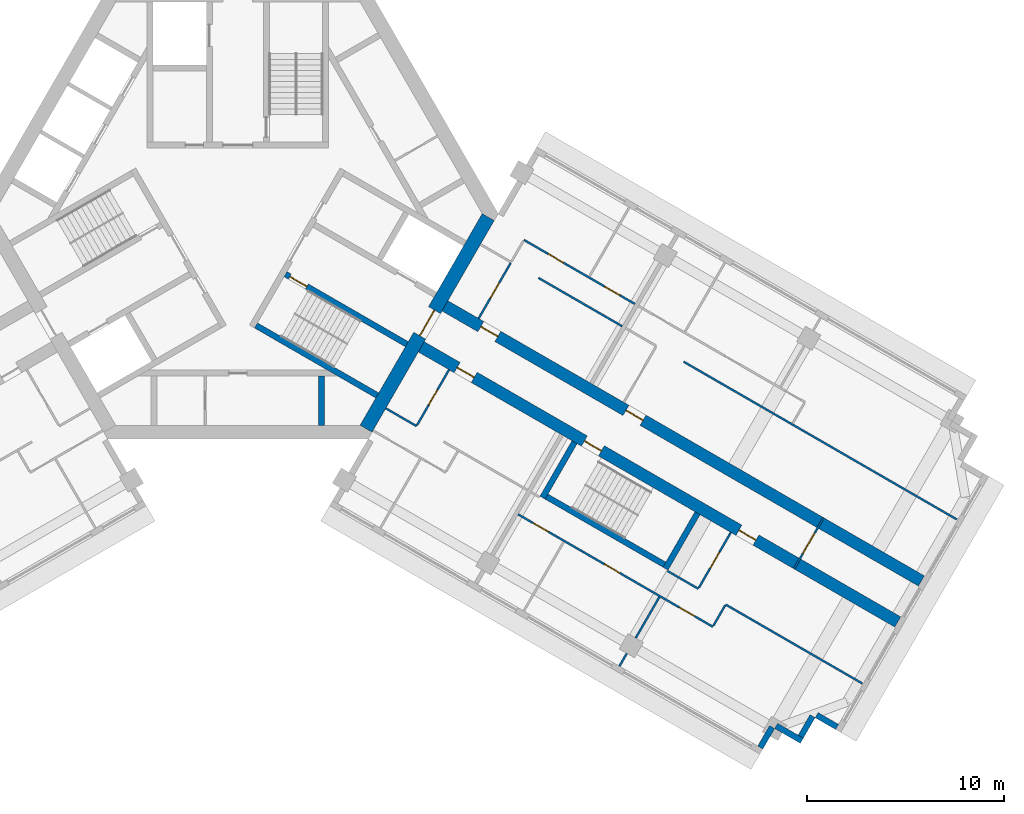
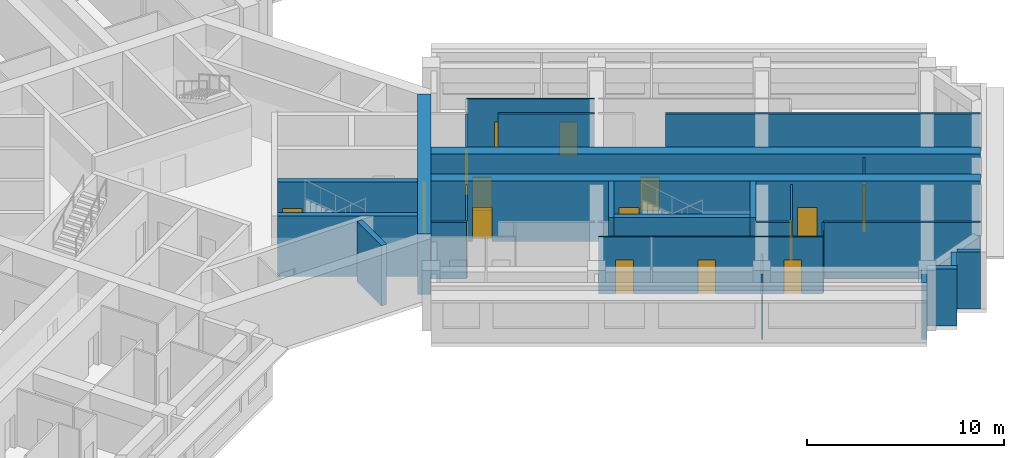
# One storey, part 5 of 11: 27 walls, 16 doors, 16 openings.
"""IFC4 building model written with IfcOpenShell, lengths in metres."""

from ifc_helpers import new_model, si_unit, direction, frame, frame_2d, origin, place, context, subcontext, project, spatial, rectangle, extrude, material, layer, layer_set, type_object, element, fill, save


model = new_model("IFC4")

# Units and contexts
model_context = context("Model", 3, precision=1e-05, world=origin(), true_north=direction((0.0, 1.0)))
body_context = subcontext(model_context, "Body", "Model", "MODEL_VIEW")
ifc_project = project(units=[si_unit("LENGTHUNIT", "METRE"), si_unit("AREAUNIT", "SQUARE_METRE"), si_unit("VOLUMEUNIT", "CUBIC_METRE"), si_unit("PLANEANGLEUNIT", "RADIAN"), si_unit("MASSUNIT", "GRAM", prefix="KILO")], contexts=[model_context])

# Site, building, storey
site_placement = place(None, origin())
site = spatial("IfcSite", under=ifc_project, at=site_placement, CompositionType="ELEMENT")
building_placement = place(site_placement, origin())
building = spatial("IfcBuilding", under=site, at=building_placement, Name="Impinga Residences", CompositionType="ELEMENT")
storey_placement = place(building_placement, frame((0.0, 0.0, 218.5)))
storey = spatial("IfcBuildingStorey", under=building, at=storey_placement, Name="L54", CompositionType="ELEMENT", Elevation=218.5)

# Wall, openings, doors
ifc_material_1 = material(Name="Concrete C60/75", Category="concrete")
ifc_layer_1 = layer(ifc_material_1, 0.60009765625)
ifc_layer_set_1 = layer_set([ifc_layer_1], Name="Concrete C60/75")
wall_type_1 = type_object("IfcWallType", Name="BW3 corridor buttress wall, L46 to L73 600", PredefinedType="SHEAR", material=ifc_layer_set_1)
wall_1_placement = place(storey_placement, frame((10.19677734375, -4.50146484375, 0.0), z_axis=(0.0, 0.0, 1.0), x_axis=(0.866026415941, -0.499998246889, 0.0)))
wall_1 = element("IfcWall", 1, at=wall_1_placement, inside=storey, type_object=wall_type_1, Name="Corridor wall BW3 EC L54", PredefinedType="SHEAR", context=body_context, shape_type="SweptSolid", body=[
    extrude(rectangle(XDim=28.25, YDim=0.60009765625, at=frame_2d((14.125, 0.0))), origin(), (0.0, 0.0, 1.0), 3.75),
])
opening_1_placement = place(wall_1_placement, frame((2.449951171875, 0.0, 0.0)))
opening_1 = element("IfcOpeningElement", 2, at=opening_1_placement, cuts=wall_1, Name="Opening D1", PredefinedType="OPENING", context=body_context, shape_type="SweptSolid", body=[
    extrude(rectangle(XDim=1.0, YDim=2.10009765625, at=frame_2d((0.5, 1.050048828125))), frame((0.0, 0.31005859375, 0.0), z_axis=(0.0, -1.0, 0.0), x_axis=(1.0, 0.0, 0.0)), (0.0, 0.0, 1.0), 0.6201171875),
])
opening_2_placement = place(wall_1_placement, frame((10.949951171875, 0.0, 0.0)))
opening_2 = element("IfcOpeningElement", 3, at=opening_2_placement, cuts=wall_1, Name="Opening D1", PredefinedType="OPENING", context=body_context, shape_type="SweptSolid", body=[
    extrude(rectangle(XDim=1.0, YDim=2.10009765625, at=frame_2d((0.5, 1.050048828125))), frame((0.0, 0.31005859375, 0.0), z_axis=(0.0, -1.0, 0.0), x_axis=(1.0, 0.0, 0.0)), (0.0, 0.0, 1.0), 0.6201171875),
])
ifc_material_2 = material(Name="Timber door set", Category="wood")
door_type_1 = type_object("IfcDoorType", Name="D1 apartment entrance door 1000x2100", OperationType="SINGLE_SWING_LEFT", PredefinedType="DOOR", material=ifc_material_2)
door_1_placement = place(opening_1_placement, origin())
door_1 = element("IfcDoor", 4, at=door_1_placement, inside=storey, type_object=door_type_1, Name="Apartment L54-EA1 entrance", OperationType="SINGLE_SWING_LEFT", OverallHeight=2.10009765625, OverallWidth=1.0, PredefinedType="DOOR", context=body_context, shape_type="SweptSolid", body=[
    extrude(rectangle(XDim=1.0, YDim=2.10009765625, at=frame_2d((0.5, 1.050048828125))), frame((0.0, 0.02490234375, 0.0), z_axis=(0.0, -1.0, 0.0), x_axis=(1.0, 0.0, 0.0)), (0.0, 0.0, 1.0), 0.050048828125),
])
fill(opening_1, door_1)
door_2_placement = place(opening_2_placement, origin())
door_2 = element("IfcDoor", 5, at=door_2_placement, inside=storey, type_object=door_type_1, Name="Apartment L54-EA2 entrance", OperationType="SINGLE_SWING_LEFT", OverallHeight=2.10009765625, OverallWidth=1.0, PredefinedType="DOOR", context=body_context, shape_type="SweptSolid", body=[
    extrude(rectangle(XDim=1.0, YDim=2.10009765625, at=frame_2d((0.5, 1.050048828125))), frame((0.0, 0.02490234375, 0.0), z_axis=(0.0, -1.0, 0.0), x_axis=(1.0, 0.0, 0.0)), (0.0, 0.0, 1.0), 0.050048828125),
])
fill(opening_2, door_2)

wall_2_placement = place(storey_placement, frame((8.996826171875, -6.580078125, 0.0), z_axis=(0.0, 0.0, 1.0), x_axis=(0.866026415941, -0.499998246889, 0.0)))
wall_2 = element("IfcWall", 6, at=wall_2_placement, inside=storey, type_object=wall_type_1, Name="Corridor wall BW3 ED L54", PredefinedType="SHEAR", context=body_context, shape_type="SweptSolid", body=[
    extrude(rectangle(XDim=28.25, YDim=0.60009765625, at=frame_2d((14.125, 0.0))), origin(), (0.0, 0.0, 1.0), 3.75),
])
opening_3_placement = place(wall_2_placement, frame((9.89990234375, 0.0, 0.0)))
opening_3 = element("IfcOpeningElement", 7, at=opening_3_placement, cuts=wall_2, Name="Opening D5", PredefinedType="OPENING", context=body_context, shape_type="SweptSolid", body=[
    extrude(rectangle(XDim=1.0, YDim=2.10009765625, at=frame_2d((0.5, 1.050048828125))), frame((0.0, 0.31005859375, 0.0), z_axis=(0.0, -1.0, 0.0), x_axis=(1.0, 0.0, 0.0)), (0.0, 0.0, 1.0), 0.6201171875),
])
opening_4_placement = place(wall_2_placement, frame((2.449951171875, 0.0, 0.0)))
opening_4 = element("IfcOpeningElement", 8, at=opening_4_placement, cuts=wall_2, Name="Opening D1", PredefinedType="OPENING", context=body_context, shape_type="SweptSolid", body=[
    extrude(rectangle(XDim=1.0, YDim=2.10009765625, at=frame_2d((0.5, 1.050048828125))), frame((0.0, 0.31005859375, 0.0), z_axis=(0.0, -1.0, 0.0), x_axis=(1.0, 0.0, 0.0)), (0.0, 0.0, 1.0), 0.6201171875),
])
opening_5_placement = place(wall_2_placement, frame((18.949951171875, 0.0, 0.0)))
opening_5 = element("IfcOpeningElement", 9, at=opening_5_placement, cuts=wall_2, Name="Opening D1", PredefinedType="OPENING", context=body_context, shape_type="SweptSolid", body=[
    extrude(rectangle(XDim=1.0, YDim=2.10009765625, at=frame_2d((0.5, 1.050048828125))), frame((0.0, 0.31005859375, 0.0), z_axis=(0.0, -1.0, 0.0), x_axis=(1.0, 0.0, 0.0)), (0.0, 0.0, 1.0), 0.6201171875),
])
door_3_placement = place(opening_4_placement, origin())
door_3 = element("IfcDoor", 10, at=door_3_placement, inside=storey, type_object=door_type_1, Name="Apartment L54-EF1 entrance", OperationType="SINGLE_SWING_LEFT", OverallHeight=2.10009765625, OverallWidth=1.0, PredefinedType="DOOR", context=body_context, shape_type="SweptSolid", body=[
    extrude(rectangle(XDim=1.0, YDim=2.10009765625, at=frame_2d((0.5, 1.050048828125))), frame((0.0, 0.02490234375, 0.0), z_axis=(0.0, -1.0, 0.0), x_axis=(1.0, 0.0, 0.0)), (0.0, 0.0, 1.0), 0.050048828125),
])
fill(opening_4, door_3)
door_4_placement = place(opening_5_placement, origin())
door_4 = element("IfcDoor", 11, at=door_4_placement, inside=storey, type_object=door_type_1, Name="Apartment L54-EF2 entrance", OperationType="SINGLE_SWING_RIGHT", OverallHeight=2.10009765625, OverallWidth=1.0, PredefinedType="DOOR", context=body_context, shape_type="SweptSolid", body=[
    extrude(rectangle(XDim=1.0, YDim=2.10009765625, at=frame_2d((0.5, 1.050048828125))), frame((0.0, 0.02490234375, 0.0), z_axis=(0.0, -1.0, 0.0), x_axis=(1.0, 0.0, 0.0)), (0.0, 0.0, 1.0), 0.050048828125),
])
fill(opening_5, door_4)
door_type_2 = type_object("IfcDoorType", Name="D5 stair door 1000x2100", OperationType="SINGLE_SWING_LEFT", PredefinedType="DOOR", material=ifc_material_2)
door_5_placement = place(opening_3_placement, origin())
door_5 = element("IfcDoor", 12, at=door_5_placement, inside=storey, type_object=door_type_2, Name="Wing stair door E", OperationType="SINGLE_SWING_LEFT", OverallHeight=2.10009765625, OverallWidth=1.0, PredefinedType="DOOR", context=body_context, shape_type="SweptSolid", body=[
    extrude(rectangle(XDim=1.0, YDim=2.10009765625, at=frame_2d((0.5, 1.050048828125))), frame((0.0, 0.02490234375, 0.0), z_axis=(0.0, -1.0, 0.0), x_axis=(1.0, 0.0, 0.0)), (0.0, 0.0, 1.0), 0.050048828125),
])
fill(opening_3, door_5)

# Wall, opening, door
ifc_material_3 = material(Name="Concrete blockwork", Category="masonry")
ifc_layer_2 = layer(ifc_material_3, 0.10009765625)
ifc_layer_set_2 = layer_set([ifc_layer_2], Name="CP1 core room partition, blockwork 100")
wall_type_2 = type_object("IfcWallType", Name="CP1 core room partition, blockwork 100", PredefinedType="PARTITIONING", material=ifc_layer_set_2)
wall_3_placement = place(storey_placement, frame((29.70263671875, -15.416748046875, 0.0), z_axis=(0.0, 0.0, 1.0), x_axis=(-0.499990139034, -0.866031096941, 0.0)))
wall_3 = element("IfcWall", 13, at=wall_3_placement, inside=storey, type_object=wall_type_2, Name="Core room partition, blockwork L54:E:LNG", PredefinedType="PARTITIONING", context=body_context, shape_type="SweptSolid", body=[
    extrude(rectangle(XDim=3.0, YDim=0.10009765625, at=frame_2d((1.5, 0.0))), origin(), (0.0, 0.0, 1.0), 3.530029296875),
])
opening_6_placement = place(wall_3_placement, frame((0.89990234375, 0.0, 0.0)))
opening_6 = element("IfcOpeningElement", 14, at=opening_6_placement, cuts=wall_3, Name="Opening D3", PredefinedType="OPENING", context=body_context, shape_type="SweptSolid", body=[
    extrude(rectangle(XDim=1.199951171875, YDim=2.10009765625, at=frame_2d((0.60009765625, 1.050048828125))), frame((0.0, 0.06005859375, 0.0), z_axis=(0.0, -1.0, 0.0), x_axis=(1.0, 0.0, 0.0)), (0.0, 0.0, 1.0), 0.1201171875),
])
door_type_3 = type_object("IfcDoorType", Name="D3 room door, leaf and a half 1200x2100", OperationType="DOUBLE_SWING_LEFT", PredefinedType="DOOR", material=ifc_material_2)
door_6_placement = place(opening_6_placement, origin())
door_6 = element("IfcDoor", 15, at=door_6_placement, inside=storey, type_object=door_type_3, Name="Residents' lounge door E", OperationType="DOUBLE_SWING_LEFT", OverallHeight=2.10009765625, OverallWidth=1.199951171875, PredefinedType="DOOR", context=body_context, shape_type="SweptSolid", body=[
    extrude(rectangle(XDim=1.199951171875, YDim=2.10009765625, at=frame_2d((0.60009765625, 1.050048828125))), frame((0.0, 0.02490234375, 0.0), z_axis=(0.0, -1.0, 0.0), x_axis=(1.0, 0.0, 0.0)), (0.0, 0.0, 1.0), 0.050048828125),
])
fill(opening_6, door_6)

# Walls
ifc_material_4 = material(Name="Terracotta rainscreen on blockwork", Category="masonry")
ifc_layer_3 = layer(ifc_material_4, 0.300048828125)
ifc_layer_set_3 = layer_set([ifc_layer_3], Name="EW1 external wall, terracotta rainscreen on blockwork 300")
wall_type_3 = type_object("IfcWallType", Name="EW1 external wall, terracotta rainscreen on blockwork 300", PredefinedType="SOLIDWALL", material=ifc_layer_set_3)
wall_4_placement = place(storey_placement, frame((30.38720703125, -26.031005859375, 0.0), z_axis=(0.0, 0.0, 1.0), x_axis=(-0.866059708757, 0.499940577336, 0.0)))
element("IfcWall", 16, at=wall_4_placement, inside=storey, type_object=wall_type_3, Name="External wall EW1 L54", PredefinedType="SOLIDWALL", context=body_context, shape_type="SweptSolid", body=[
    extrude(rectangle(XDim=1.195068359375, YDim=0.300048828125, at=frame_2d((0.59765625, 0.0))), origin(), (0.0, 0.0, 1.0), 3.530029296875),
])
wall_5_placement = place(storey_placement, frame((29.14306640625, -25.48583984375, 0.0), z_axis=(0.0, 0.0, 1.0), x_axis=(-0.500033551112, -0.866006032174, 0.0)))
element("IfcWall", 17, at=wall_5_placement, inside=storey, type_object=wall_type_3, Name="External wall EW1 L54", PredefinedType="SOLIDWALL", context=body_context, shape_type="SweptSolid", body=[
    extrude(rectangle(XDim=1.2001953125, YDim=0.300048828125, at=frame_2d((0.60009765625, 0.0))), origin(), (0.0, 0.0, 1.0), 3.530029296875),
])
wall_6_placement = place(storey_placement, frame((28.597900390625, -26.72998046875, 0.0), z_axis=(0.0, 0.0, 1.0), x_axis=(-0.866031096941, 0.499990139034, 0.0)))
element("IfcWall", 18, at=wall_6_placement, inside=storey, type_object=wall_type_3, Name="External wall EW1 L54", PredefinedType="SOLIDWALL", context=body_context, shape_type="SweptSolid", body=[
    extrude(rectangle(XDim=1.5, YDim=0.300048828125, at=frame_2d((0.75, 0.0))), origin(), (0.0, 0.0, 1.0), 3.530029296875),
])
wall_7_placement = place(storey_placement, frame((27.091552734375, -26.039306640625, 0.0), z_axis=(0.0, 0.0, 1.0), x_axis=(-0.500093796661, -0.865971243484, 0.0)))
element("IfcWall", 19, at=wall_7_placement, inside=storey, type_object=wall_type_3, Name="External wall EW1 L54", PredefinedType="SOLIDWALL", context=body_context, shape_type="SweptSolid", body=[
    extrude(rectangle(XDim=1.195068359375, YDim=0.300048828125, at=frame_2d((0.59765625, 0.0))), origin(), (0.0, 0.0, 1.0), 3.530029296875),
])
ifc_material_5 = material(Name="Gypsum board on steel studs", Category="steel")
ifc_layer_4 = layer(ifc_material_5, 0.10009765625)
ifc_layer_set_4 = layer_set([ifc_layer_4], Name="Gypsum board on steel studs")
wall_type_4 = type_object("IfcWallType", Name="IP1 partition 100", PredefinedType="PARTITIONING", material=ifc_layer_set_4)
wall_8_placement = place(storey_placement, frame((15.244384765625, -3.2587890625, 0.0), z_axis=(0.0, 0.0, 1.0), x_axis=(0.866036242063, -0.49998122708, 0.0)))
element("IfcWall", 20, at=wall_8_placement, inside=storey, type_object=wall_type_4, Name="Partition L54-EA1:DIV1", PredefinedType="PARTITIONING", context=body_context, shape_type="SweptSolid", body=[
    extrude(rectangle(XDim=4.900146484375, YDim=0.10009765625, at=frame_2d((2.4501953125, 0.0))), origin(), (0.0, 0.0, 1.0), 3.530029296875),
])

# Wall, openings, doors
wall_9_placement = place(storey_placement, frame((14.5087890625, -1.3330078125, 0.0), z_axis=(0.0, 0.0, 1.0), x_axis=(0.866024837091, -0.50000098154, 0.0)))
wall_9 = element("IfcWall", 21, at=wall_9_placement, inside=storey, type_object=wall_type_4, Name="Partition L54-EA1:STRIP", PredefinedType="PARTITIONING", context=body_context, shape_type="SweptSolid", body=[
    extrude(rectangle(XDim=6.5, YDim=0.10009765625, at=frame_2d((3.25, 0.0))), origin(), (0.0, 0.0, 1.0), 3.530029296875),
])
opening_7_placement = place(wall_9_placement, frame((1.425048828125, 0.0, 0.0)))
opening_7 = element("IfcOpeningElement", 22, at=opening_7_placement, cuts=wall_9, Name="Opening D2", PredefinedType="OPENING", context=body_context, shape_type="SweptSolid", body=[
    extrude(rectangle(XDim=0.89990234375, YDim=2.10009765625, at=frame_2d((0.449951171875, 1.050048828125))), frame((0.0, 0.06005859375, 0.0), z_axis=(0.0, -1.0, 0.0), x_axis=(1.0, 0.0, 0.0)), (0.0, 0.0, 1.0), 0.1201171875),
])
opening_8_placement = place(wall_9_placement, frame((4.72509765625, 0.0, 0.0)))
opening_8 = element("IfcOpeningElement", 23, at=opening_8_placement, cuts=wall_9, Name="Opening D2", PredefinedType="OPENING", context=body_context, shape_type="SweptSolid", body=[
    extrude(rectangle(XDim=0.89990234375, YDim=2.10009765625, at=frame_2d((0.449951171875, 1.050048828125))), frame((0.0, 0.06005859375, 0.0), z_axis=(0.0, -1.0, 0.0), x_axis=(1.0, 0.0, 0.0)), (0.0, 0.0, 1.0), 0.1201171875),
])
door_type_4 = type_object("IfcDoorType", Name="D2 internal door 900x2100", OperationType="SINGLE_SWING_LEFT", PredefinedType="DOOR", material=ifc_material_2)
door_7_placement = place(opening_7_placement, origin())
door_7 = element("IfcDoor", 24, at=door_7_placement, inside=storey, type_object=door_type_4, Name="Apartment L54-EA1 room door", OperationType="SINGLE_SWING_LEFT", OverallHeight=2.10009765625, OverallWidth=0.89990234375, PredefinedType="DOOR", context=body_context, shape_type="SweptSolid", body=[
    extrude(rectangle(XDim=0.89990234375, YDim=2.10009765625, at=frame_2d((0.449951171875, 1.050048828125))), frame((0.0, 0.02490234375, 0.0), z_axis=(0.0, -1.0, 0.0), x_axis=(1.0, 0.0, 0.0)), (0.0, 0.0, 1.0), 0.050048828125),
])
fill(opening_7, door_7)
door_8_placement = place(opening_8_placement, origin())
door_8 = element("IfcDoor", 25, at=door_8_placement, inside=storey, type_object=door_type_4, Name="Apartment L54-EA1 room door", OperationType="SINGLE_SWING_RIGHT", OverallHeight=2.10009765625, OverallWidth=0.89990234375, PredefinedType="DOOR", context=body_context, shape_type="SweptSolid", body=[
    extrude(rectangle(XDim=0.89990234375, YDim=2.10009765625, at=frame_2d((0.449951171875, 1.050048828125))), frame((0.0, 0.02490234375, 0.0), z_axis=(0.0, -1.0, 0.0), x_axis=(1.0, 0.0, 0.0)), (0.0, 0.0, 1.0), 0.050048828125),
])
fill(opening_8, door_8)

# Wall, opening, door
wall_10_placement = place(storey_placement, frame((12.208740234375, -5.316650390625, 0.0), z_axis=(0.0, 0.0, 1.0), x_axis=(0.500017246033, 0.866015446554, 0.0)))
wall_10 = element("IfcWall", 26, at=wall_10_placement, inside=storey, type_object=wall_type_4, Name="Partition L54-EA1:IB1", PredefinedType="PARTITIONING", context=body_context, shape_type="SweptSolid", body=[
    extrude(rectangle(XDim=3.25, YDim=0.10009765625, at=frame_2d((1.625, 0.0))), origin(), (0.0, 0.0, 1.0), 3.530029296875),
])
opening_9_placement = place(wall_10_placement, frame((1.175048828125, 0.0, 0.0)))
opening_9 = element("IfcOpeningElement", 27, at=opening_9_placement, cuts=wall_10, Name="Opening D2", PredefinedType="OPENING", context=body_context, shape_type="SweptSolid", body=[
    extrude(rectangle(XDim=0.89990234375, YDim=2.10009765625, at=frame_2d((0.449951171875, 1.050048828125))), frame((0.0, 0.06005859375, 0.0), z_axis=(0.0, -1.0, 0.0), x_axis=(1.0, 0.0, 0.0)), (0.0, 0.0, 1.0), 0.1201171875),
])
door_9_placement = place(opening_9_placement, origin())
door_9 = element("IfcDoor", 28, at=door_9_placement, inside=storey, type_object=door_type_4, Name="Apartment L54-EA1 bathroom door", OperationType="SINGLE_SWING_LEFT", OverallHeight=2.10009765625, OverallWidth=0.89990234375, PredefinedType="DOOR", context=body_context, shape_type="SweptSolid", body=[
    extrude(rectangle(XDim=0.89990234375, YDim=2.10009765625, at=frame_2d((0.449951171875, 1.050048828125))), frame((0.0, 0.02490234375, 0.0), z_axis=(0.0, -1.0, 0.0), x_axis=(1.0, 0.0, 0.0)), (0.0, 0.0, 1.0), 0.050048828125),
])
fill(opening_9, door_9)

# Walls
wall_11_placement = place(storey_placement, frame((22.605712890625, -7.5087890625, 0.0), z_axis=(0.0, 0.0, 1.0), x_axis=(0.866026010844, -0.49999894854, 0.0)))
element("IfcWall", 29, at=wall_11_placement, inside=storey, type_object=wall_type_4, Name="Partition L54-EA2:DIV1", PredefinedType="PARTITIONING", context=body_context, shape_type="SweptSolid", body=[
    extrude(rectangle(XDim=16.0, YDim=0.10009765625, at=frame_2d((8.0, 0.0))), origin(), (0.0, 0.0, 1.0), 3.530029296875),
])
wall_12_placement = place(storey_placement, frame((7.5, -9.872802734375, 0.0), z_axis=(0.0, 0.0, 1.0), x_axis=(0.866047807691, -0.499961193289, 0.0)))
element("IfcWall", 30, at=wall_12_placement, inside=storey, type_object=wall_type_4, Name="Partition L54-EF1:DIV0", PredefinedType="PARTITIONING", context=body_context, shape_type="SweptSolid", body=[
    extrude(rectangle(XDim=1.800048828125, YDim=0.10009765625, at=frame_2d((0.89990234375, 0.0))), origin(), (0.0, 0.0, 1.0), 3.530029296875),
])

# Wall, opening, door
wall_13_placement = place(storey_placement, frame((10.708740234375, -7.914794921875, 0.0), z_axis=(0.0, 0.0, 1.0), x_axis=(-0.499984717929, -0.866034226713, 0.0)))
wall_13 = element("IfcWall", 31, at=wall_13_placement, inside=storey, type_object=wall_type_4, Name="Partition L54-EF1:IB1", PredefinedType="PARTITIONING", context=body_context, shape_type="SweptSolid", body=[
    extrude(rectangle(XDim=3.25, YDim=0.10009765625, at=frame_2d((1.625, 0.0))), origin(), (0.0, 0.0, 1.0), 3.530029296875),
])
opening_10_placement = place(wall_13_placement, frame((1.175048828125, 0.0, 0.0)))
opening_10 = element("IfcOpeningElement", 32, at=opening_10_placement, cuts=wall_13, Name="Opening D2", PredefinedType="OPENING", context=body_context, shape_type="SweptSolid", body=[
    extrude(rectangle(XDim=0.89990234375, YDim=2.10009765625, at=frame_2d((0.449951171875, 1.050048828125))), frame((0.0, 0.06005859375, 0.0), z_axis=(0.0, -1.0, 0.0), x_axis=(1.0, 0.0, 0.0)), (0.0, 0.0, 1.0), 0.1201171875),
])
door_10_placement = place(opening_10_placement, origin())
door_10 = element("IfcDoor", 33, at=door_10_placement, inside=storey, type_object=door_type_4, Name="Apartment L54-EF1 bathroom door", OperationType="SINGLE_SWING_LEFT", OverallHeight=2.10009765625, OverallWidth=0.89990234375, PredefinedType="DOOR", context=body_context, shape_type="SweptSolid", body=[
    extrude(rectangle(XDim=0.89990234375, YDim=2.10009765625, at=frame_2d((0.449951171875, 1.050048828125))), frame((0.0, 0.02490234375, 0.0), z_axis=(0.0, -1.0, 0.0), x_axis=(1.0, 0.0, 0.0)), (0.0, 0.0, 1.0), 0.050048828125),
])
fill(opening_10, door_10)

# Walls
wall_14_placement = place(storey_placement, frame((21.789306640625, -18.122802734375, 0.0), z_axis=(0.0, 0.0, 1.0), x_axis=(0.866047807691, -0.499961193289, 0.0)))
element("IfcWall", 34, at=wall_14_placement, inside=storey, type_object=wall_type_4, Name="Partition L54-EF2:DIV1", PredefinedType="PARTITIONING", context=body_context, shape_type="SweptSolid", body=[
    extrude(rectangle(XDim=1.800048828125, YDim=0.10009765625, at=frame_2d((0.89990234375, 0.0))), origin(), (0.0, 0.0, 1.0), 3.530029296875),
])
wall_15_placement = place(storey_placement, frame((24.73388671875, -19.82275390625, 0.0), z_axis=(0.0, 0.0, 1.0), x_axis=(0.866026010844, -0.49999894854, 0.0)))
element("IfcWall", 35, at=wall_15_placement, inside=storey, type_object=wall_type_4, Name="Partition L54-EF2:DIV2", PredefinedType="PARTITIONING", context=body_context, shape_type="SweptSolid", body=[
    extrude(rectangle(XDim=8.0, YDim=0.10009765625, at=frame_2d((4.0, 0.0))), origin(), (0.0, 0.0, 1.0), 3.530029296875),
])

# Wall, openings, doors
wall_16_placement = place(storey_placement, frame((14.211181640625, -15.24853515625, 0.0), z_axis=(0.0, 0.0, 1.0), x_axis=(0.866029739339, -0.499992490525, 0.0)))
wall_16 = element("IfcWall", 36, at=wall_16_placement, inside=storey, type_object=wall_type_4, Name="Partition L54-EF2:STRIP", PredefinedType="PARTITIONING", context=body_context, shape_type="SweptSolid", body=[
    extrude(rectangle(XDim=11.400146484375, YDim=0.10009765625, at=frame_2d((5.7001953125, 0.0))), origin(), (0.0, 0.0, 1.0), 3.530029296875),
])
opening_11_placement = place(wall_16_placement, frame((0.875, 0.0, 0.0)))
opening_11 = element("IfcOpeningElement", 37, at=opening_11_placement, cuts=wall_16, Name="Opening D2", PredefinedType="OPENING", context=body_context, shape_type="SweptSolid", body=[
    extrude(rectangle(XDim=0.89990234375, YDim=2.10009765625, at=frame_2d((0.449951171875, 1.050048828125))), frame((0.0, 0.06005859375, 0.0), z_axis=(0.0, -1.0, 0.0), x_axis=(1.0, 0.0, 0.0)), (0.0, 0.0, 1.0), 0.1201171875),
])
opening_12_placement = place(wall_16_placement, frame((5.050048828125, 0.0, 0.0)))
opening_12 = element("IfcOpeningElement", 38, at=opening_12_placement, cuts=wall_16, Name="Opening D2", PredefinedType="OPENING", context=body_context, shape_type="SweptSolid", body=[
    extrude(rectangle(XDim=0.89990234375, YDim=2.10009765625, at=frame_2d((0.449951171875, 1.050048828125))), frame((0.0, 0.06005859375, 0.0), z_axis=(0.0, -1.0, 0.0), x_axis=(1.0, 0.0, 0.0)), (0.0, 0.0, 1.0), 0.1201171875),
])
opening_13_placement = place(wall_16_placement, frame((9.425048828125, 0.0, 0.0)))
opening_13 = element("IfcOpeningElement", 39, at=opening_13_placement, cuts=wall_16, Name="Opening D2", PredefinedType="OPENING", context=body_context, shape_type="SweptSolid", body=[
    extrude(rectangle(XDim=0.89990234375, YDim=2.10009765625, at=frame_2d((0.449951171875, 1.050048828125))), frame((0.0, 0.06005859375, 0.0), z_axis=(0.0, -1.0, 0.0), x_axis=(1.0, 0.0, 0.0)), (0.0, 0.0, 1.0), 0.1201171875),
])
door_11_placement = place(opening_11_placement, origin())
door_11 = element("IfcDoor", 40, at=door_11_placement, inside=storey, type_object=door_type_4, Name="Apartment L54-EF2 room door", OperationType="SINGLE_SWING_LEFT", OverallHeight=2.10009765625, OverallWidth=0.89990234375, PredefinedType="DOOR", context=body_context, shape_type="SweptSolid", body=[
    extrude(rectangle(XDim=0.89990234375, YDim=2.10009765625, at=frame_2d((0.449951171875, 1.050048828125))), frame((0.0, 0.02490234375, 0.0), z_axis=(0.0, -1.0, 0.0), x_axis=(1.0, 0.0, 0.0)), (0.0, 0.0, 1.0), 0.050048828125),
])
fill(opening_11, door_11)
door_12_placement = place(opening_12_placement, origin())
door_12 = element("IfcDoor", 41, at=door_12_placement, inside=storey, type_object=door_type_4, Name="Apartment L54-EF2 room door", OperationType="SINGLE_SWING_LEFT", OverallHeight=2.10009765625, OverallWidth=0.89990234375, PredefinedType="DOOR", context=body_context, shape_type="SweptSolid", body=[
    extrude(rectangle(XDim=0.89990234375, YDim=2.10009765625, at=frame_2d((0.449951171875, 1.050048828125))), frame((0.0, 0.02490234375, 0.0), z_axis=(0.0, -1.0, 0.0), x_axis=(1.0, 0.0, 0.0)), (0.0, 0.0, 1.0), 0.050048828125),
])
fill(opening_12, door_12)
door_13_placement = place(opening_13_placement, origin())
door_13 = element("IfcDoor", 42, at=door_13_placement, inside=storey, type_object=door_type_4, Name="Apartment L54-EF2 room door", OperationType="SINGLE_SWING_RIGHT", OverallHeight=2.10009765625, OverallWidth=0.89990234375, PredefinedType="DOOR", context=body_context, shape_type="SweptSolid", body=[
    extrude(rectangle(XDim=0.89990234375, YDim=2.10009765625, at=frame_2d((0.449951171875, 1.050048828125))), frame((0.0, 0.02490234375, 0.0), z_axis=(0.0, -1.0, 0.0), x_axis=(1.0, 0.0, 0.0)), (0.0, 0.0, 1.0), 0.050048828125),
])
fill(opening_13, door_13)

# Wall
wall_17_placement = place(storey_placement, frame((24.708984375, -19.865966796875, 0.0), z_axis=(0.0, 0.0, 1.0), x_axis=(-0.500033551112, -0.866006032174, 0.0)))
element("IfcWall", 43, at=wall_17_placement, inside=storey, type_object=wall_type_4, Name="Partition L54-EF2:SE1", PredefinedType="PARTITIONING", context=body_context, shape_type="SweptSolid", body=[
    extrude(rectangle(XDim=1.2001953125, YDim=0.10009765625, at=frame_2d((0.60009765625, 0.0))), origin(), (0.0, 0.0, 1.0), 3.530029296875),
])

# Wall, opening, door
wall_18_placement = place(storey_placement, frame((24.998291015625, -16.164794921875, 0.0), z_axis=(0.0, 0.0, 1.0), x_axis=(-0.499984717929, -0.866034226713, 0.0)))
wall_18 = element("IfcWall", 44, at=wall_18_placement, inside=storey, type_object=wall_type_4, Name="Partition L54-EF2:IB1", PredefinedType="PARTITIONING", context=body_context, shape_type="SweptSolid", body=[
    extrude(rectangle(XDim=3.25, YDim=0.10009765625, at=frame_2d((1.625, 0.0))), origin(), (0.0, 0.0, 1.0), 3.530029296875),
])
opening_14_placement = place(wall_18_placement, frame((1.175048828125, 0.0, 0.0)))
opening_14 = element("IfcOpeningElement", 45, at=opening_14_placement, cuts=wall_18, Name="Opening D2", PredefinedType="OPENING", context=body_context, shape_type="SweptSolid", body=[
    extrude(rectangle(XDim=0.89990234375, YDim=2.10009765625, at=frame_2d((0.449951171875, 1.050048828125))), frame((0.0, 0.06005859375, 0.0), z_axis=(0.0, -1.0, 0.0), x_axis=(1.0, 0.0, 0.0)), (0.0, 0.0, 1.0), 0.1201171875),
])
door_14_placement = place(opening_14_placement, origin())
door_14 = element("IfcDoor", 46, at=door_14_placement, inside=storey, type_object=door_type_4, Name="Apartment L54-EF2 bathroom door", OperationType="SINGLE_SWING_LEFT", OverallHeight=2.10009765625, OverallWidth=0.89990234375, PredefinedType="DOOR", context=body_context, shape_type="SweptSolid", body=[
    extrude(rectangle(XDim=0.89990234375, YDim=2.10009765625, at=frame_2d((0.449951171875, 1.050048828125))), frame((0.0, 0.02490234375, 0.0), z_axis=(0.0, -1.0, 0.0), x_axis=(1.0, 0.0, 0.0)), (0.0, 0.0, 1.0), 0.050048828125),
])
fill(opening_14, door_14)

# Walls
wall_19_placement = place(storey_placement, frame((21.374267578125, -19.44189453125, 0.0), z_axis=(0.0, 0.0, 1.0), x_axis=(-0.500001309137, -0.866024647952, 0.0)))
element("IfcWall", 47, at=wall_19_placement, inside=storey, type_object=wall_type_4, Name="Partition L54-EF2:OB2", PredefinedType="PARTITIONING", context=body_context, shape_type="SweptSolid", body=[
    extrude(rectangle(XDim=2.39990234375, YDim=0.10009765625, at=frame_2d((1.199951171875, 0.0))), origin(), (0.0, 0.0, 1.0), 2.47998046875),
])
wall_20_placement = place(storey_placement, frame((19.72412109375, -22.2998046875, 0.0), z_axis=(0.0, 0.0, 1.0), x_axis=(-0.500060622324, -0.86599040064, 0.0)))
element("IfcWall", 48, at=wall_20_placement, inside=storey, type_object=wall_type_4, Name="Partition L54-EF2:OB2b", PredefinedType="PARTITIONING", context=body_context, shape_type="SweptSolid", body=[
    extrude(rectangle(XDim=0.75, YDim=0.10009765625, at=frame_2d((0.375, 0.0))), origin(), (0.0, 0.0, 1.0), 3.530029296875),
])
ifc_layer_5 = layer(ifc_material_1, 0.300048828125)
ifc_layer_set_5 = layer_set([ifc_layer_5], Name="Concrete C60/75")
wall_type_5 = type_object("IfcWallType", Name="SE1 wing stair enclosure wall 300", PredefinedType="SOLIDWALL", material=ifc_layer_set_5)
for number, where, z_axis, x_axis, name in (
    (49, (17.07421875, -11.58984375, 0.0), (0.0, 0.0, 1.0), (-0.500017246033, -0.866015446554, 0.0), "Stair enclosure wall SE1 E END0 L54"),
    (50, (23.3095703125, -15.189697265625, 0.0), (0.0, 0.0, 1.0), (-0.499984717929, -0.866034226713, 0.0), "Stair enclosure wall SE1 E END1 L54"),
):
    element("IfcWall", number, at=place(storey_placement, frame(where, z_axis=z_axis, x_axis=x_axis)), inside=storey, type_object=wall_type_5, Name=name, PredefinedType="SOLIDWALL", context=body_context, shape_type="SweptSolid", body=[
        extrude(rectangle(XDim=3.25, YDim=0.300048828125, at=frame_2d((1.625, 0.0))), origin(), (0.0, 0.0, 1.0), 3.75),
    ])
wall_21_placement = place(storey_placement, frame((15.654052734375, -14.349365234375, 0.0), z_axis=(0.0, 0.0, 1.0), x_axis=(0.866013532718, -0.500020560727, 0.0)))
element("IfcWall", 51, at=wall_21_placement, inside=storey, type_object=wall_type_5, Name="Stair enclosure wall SE1 E OUT L54", PredefinedType="SOLIDWALL", context=body_context, shape_type="SweptSolid", body=[
    extrude(rectangle(XDim=6.900146484375, YDim=0.300048828125, at=frame_2d((3.4501953125, 0.0))), origin(), (0.0, 0.0, 1.0), 3.75),
])

# Wall, opening, door
ifc_layer_6 = layer(ifc_material_1, 0.699951171875)
ifc_layer_set_6 = layer_set([ifc_layer_6], Name="Concrete C60/75")
wall_type_6 = type_object("IfcWallType", Name="SW3 core wall 700", PredefinedType="SHEAR", material=ifc_layer_set_6)
wall_22_placement = place(storey_placement, frame((12.69482421875, -0.175048828125, 0.0), z_axis=(0.0, 0.0, 1.0), x_axis=(-0.499999875397, -0.866025475724, 0.0)))
wall_22 = element("IfcWall", 52, at=wall_22_placement, inside=storey, type_object=wall_type_6, Name="Core wall SW3 E:FACE L54", PredefinedType="SHEAR", context=body_context, shape_type="SweptSolid", body=[
    extrude(rectangle(XDim=12.3916015625, YDim=0.699951171875, at=frame_2d((6.19580078125, 0.0))), origin(), (0.0, 0.0, 1.0), 3.75),
])
opening_15_placement = place(wall_22_placement, frame((5.44580078125, 0.0, 0.0)))
opening_15 = element("IfcOpeningElement", 53, at=opening_15_placement, cuts=wall_22, Name="Opening D4", PredefinedType="OPENING", context=body_context, shape_type="SweptSolid", body=[
    extrude(rectangle(XDim=1.5, YDim=2.10009765625, at=frame_2d((0.75, 1.050048828125))), frame((0.0, 0.35986328125, 0.0), z_axis=(0.0, -1.0, 0.0), x_axis=(1.0, 0.0, 0.0)), (0.0, 0.0, 1.0), 0.719970703125),
])
door_type_5 = type_object("IfcDoorType", Name="D4 lobby door pair 1500x2100", OperationType="DOUBLE_DOOR_DOUBLE_SWING", PredefinedType="DOOR", material=ifc_material_2)
door_15_placement = place(opening_15_placement, origin())
door_15 = element("IfcDoor", 54, at=door_15_placement, inside=storey, type_object=door_type_5, Name="Lobby door E", OperationType="DOUBLE_DOOR_DOUBLE_SWING", OverallHeight=2.10009765625, OverallWidth=1.5, PredefinedType="DOOR", context=body_context, shape_type="SweptSolid", body=[
    extrude(rectangle(XDim=1.5, YDim=2.10009765625, at=frame_2d((0.75, 1.050048828125))), frame((0.0, 0.02490234375, 0.0), z_axis=(0.0, -1.0, 0.0), x_axis=(1.0, 0.0, 0.0)), (0.0, 0.0, 1.0), 0.050048828125),
])
fill(opening_15, door_15)

ifc_material_6 = material(Name="Concrete C70/85", Category="concrete")
ifc_layer_7 = layer(ifc_material_6, 0.300048828125)
ifc_layer_set_7 = layer_set([ifc_layer_7], Name="Concrete C70/85")
wall_type_7 = type_object("IfcWallType", Name="SW5 core inner wall, stairs, shafts and lobbies 300", PredefinedType="SHEAR", material=ifc_layer_set_7)
wall_23_placement = place(storey_placement, frame((2.418701171875, -3.07080078125, 0.0), z_axis=(0.0, 0.0, 1.0), x_axis=(0.866025859768, -0.499999210213, 0.0)))
wall_23 = element("IfcWall", 55, at=wall_23_placement, inside=storey, type_object=wall_type_7, Name="Core wall SW5 E:ST-IN L54", PredefinedType="SHEAR", context=body_context, shape_type="SweptSolid", body=[
    extrude(rectangle(XDim=7.1015625, YDim=0.300048828125, at=frame_2d((3.55078125, 0.0))), origin(), (0.0, 0.0, 1.0), 3.75),
])
opening_16_placement = place(wall_23_placement, frame((0.25, 0.0, 0.0)))
opening_16 = element("IfcOpeningElement", 56, at=opening_16_placement, cuts=wall_23, Name="Opening D5", PredefinedType="OPENING", context=body_context, shape_type="SweptSolid", body=[
    extrude(rectangle(XDim=1.0, YDim=2.10009765625, at=frame_2d((0.5, 1.050048828125))), frame((0.0, 0.159912109375, 0.0), z_axis=(0.0, -1.0, 0.0), x_axis=(1.0, 0.0, 0.0)), (0.0, 0.0, 1.0), 0.320068359375),
])
door_16_placement = place(opening_16_placement, origin())
door_16 = element("IfcDoor", 57, at=door_16_placement, inside=storey, type_object=door_type_2, Name="Stair door E", OperationType="SINGLE_SWING_LEFT", OverallHeight=2.10009765625, OverallWidth=1.0, PredefinedType="DOOR", context=body_context, shape_type="SweptSolid", body=[
    extrude(rectangle(XDim=1.0, YDim=2.10009765625, at=frame_2d((0.5, 1.050048828125))), frame((0.0, 0.02490234375, 0.0), z_axis=(0.0, -1.0, 0.0), x_axis=(1.0, 0.0, 0.0)), (0.0, 0.0, 1.0), 0.050048828125),
])
fill(opening_16, door_16)

# Walls
wall_24_placement = place(storey_placement, frame((0.918701171875, -5.668701171875, 0.0), z_axis=(0.0, 0.0, 1.0), x_axis=(0.866025859768, -0.499999210213, 0.0)))
element("IfcWall", 58, at=wall_24_placement, inside=storey, type_object=wall_type_7, Name="Core wall SW5 E:ST-OUT L54", PredefinedType="SHEAR", context=body_context, shape_type="SweptSolid", body=[
    extrude(rectangle(XDim=7.1015625, YDim=0.300048828125, at=frame_2d((3.55078125, 0.0))), origin(), (0.0, 0.0, 1.0), 3.75),
])
wall_25_placement = place(storey_placement, frame((4.25, -8.2314453125, 0.0), z_axis=(0.0, 0.0, 1.0), x_axis=(0.0, -1.0, 0.0)))
element("IfcWall", 59, at=wall_25_placement, inside=storey, type_object=wall_type_7, Name="Core wall SW5 N:BANK-L L54", PredefinedType="SHEAR", context=body_context, shape_type="SweptSolid", body=[
    extrude(rectangle(XDim=2.5, YDim=0.300048828125, at=frame_2d((1.25, 0.0))), origin(), (0.0, 0.0, 1.0), 3.75),
])

save(model, "model.ifc")
